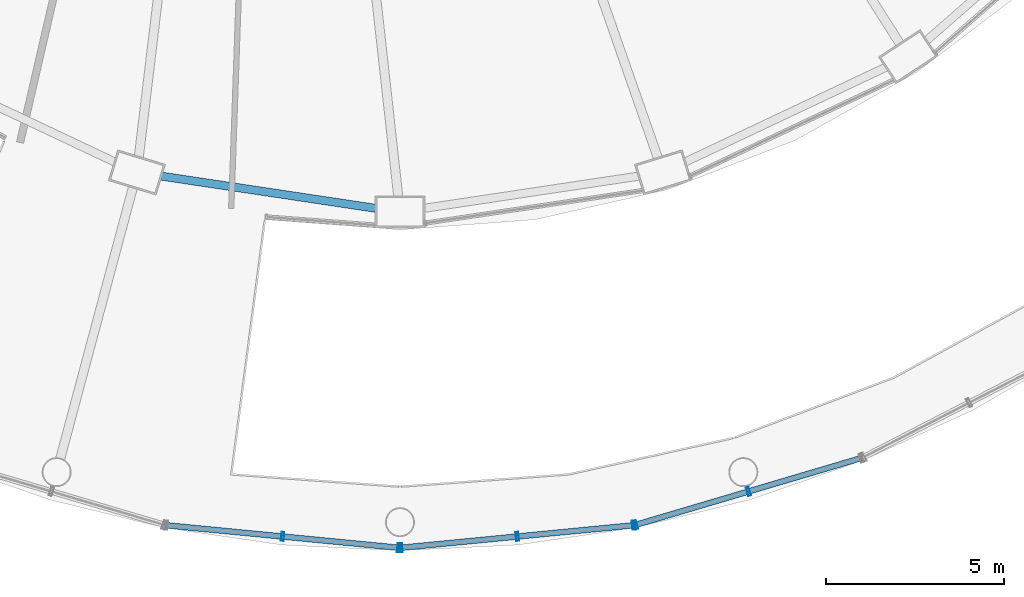
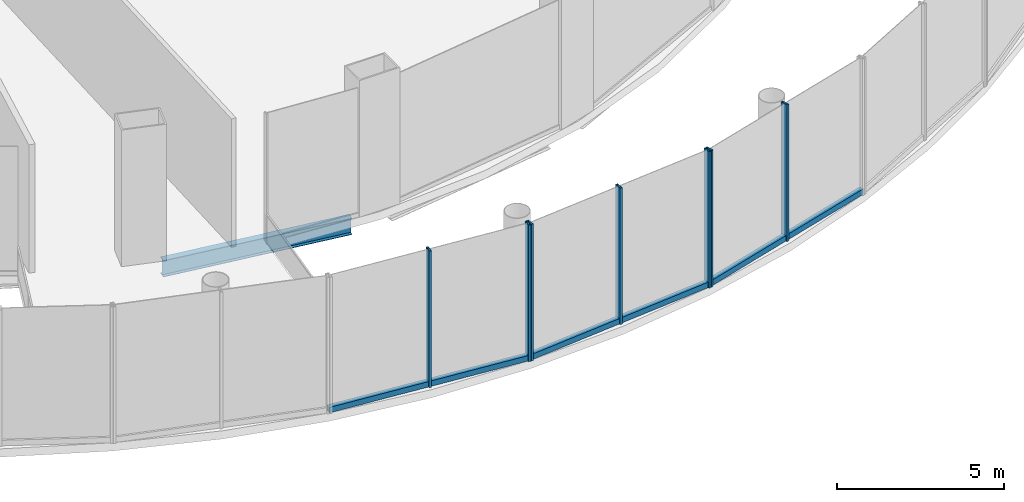
# One storey, part 8 of 47: 10 members, 1 beam, 3 elements without a shape of their own.
"""IFC4 building model written with IfcOpenShell, lengths in metres."""

from ifc_helpers import new_model, si_unit, direction, frame, origin, origin_2d, place, context, subcontext, project, spatial, hollow_rectangle, i_section, extrude, material, layer, layer_set, material_profile, profile_set, type_object, element, aggregate, save


model = new_model("IFC4")

# Units and contexts
model_context = context("Model", 3, precision=1e-05, world=origin(), true_north=direction((0.0, 1.0)))
body_context = subcontext(model_context, "Body", "Model", "MODEL_VIEW")
ifc_project = project(units=[si_unit("LENGTHUNIT", "METRE"), si_unit("AREAUNIT", "SQUARE_METRE"), si_unit("VOLUMEUNIT", "CUBIC_METRE"), si_unit("PLANEANGLEUNIT", "RADIAN"), si_unit("MASSUNIT", "GRAM", prefix="KILO")], contexts=[model_context])

# Site, building, storey
site_placement = place(None, origin())
site = spatial("IfcSite", under=ifc_project, at=site_placement, CompositionType="ELEMENT")
building_placement = place(site_placement, origin())
building = spatial("IfcBuilding", under=site, at=building_placement, Name="Nagisa Residences", CompositionType="ELEMENT")
storey_placement = place(building_placement, frame((0.0, 0.0, 17.0)))
storey = spatial("IfcBuildingStorey", under=building, at=storey_placement, Name="L03", CompositionType="ELEMENT", Elevation=17.0)

# Curtain wall, members
ifc_material_1 = material(Name="Stainless steel curtain wall system", Category="steel")
ifc_layer = layer(ifc_material_1, 0.159912109375)
ifc_layer_set = layer_set([ifc_layer], Name="CW3 CURTAIN WALL")
curtain_wall_type = type_object("IfcCurtainWallType", Name="CW3 CURTAIN WALL", PredefinedType="NOTDEFINED", material=ifc_layer_set)
curtain_wall_1_placement = place(storey_placement, origin())
curtain_wall_1 = element("IfcCurtainWall", 1, at=curtain_wall_1_placement, inside=storey, type_object=curtain_wall_type, Name="cw:CW3:L03:26", PredefinedType="NOTDEFINED")
ifc_material_2 = material(Name="Stainless steel", Category="steel")
ifc_material_profile_1 = material_profile(ifc_material_2, hollow_rectangle(XDim=0.25, YDim=0.080078125, WallThickness=0.008056640625, at=origin_2d()), Name="CW3 MULLION 250x80")
ifc_profile_set_1 = profile_set([ifc_material_profile_1], Name="Stainless steel")
member_type_1 = type_object("IfcMemberType", Name="CW3 MULLION 250x80", PredefinedType="MULLION", material=ifc_profile_set_1)
member_1_placement = place(storey_placement, frame((0.308349609375, -41.601318359375, 0.0), z_axis=(0.0, 0.0, 1.0), x_axis=(0.096249055035, 0.995357282289, 0.0)))
member_1 = element("IfcMember", 2, at=member_1_placement, type_object=member_type_1, Name="CW3 mullion", PredefinedType="MULLION", context=body_context, shape_type="SweptSolid", body=[
    extrude(hollow_rectangle(XDim=0.25, YDim=0.080078125, WallThickness=0.008056640625, at=origin_2d()), origin(), (0.0, 0.0, 1.0), 5.0),
])
member_2_placement = place(storey_placement, frame((3.56787109375, -41.91650390625, 0.0), z_axis=(0.0, 0.0, 1.0), x_axis=(0.096249055035, 0.995357282289, 0.0)))
member_2 = element("IfcMember", 3, at=member_2_placement, type_object=member_type_1, Name="CW3 mullion", PredefinedType="MULLION", context=body_context, shape_type="SweptSolid", body=[
    extrude(hollow_rectangle(XDim=0.25, YDim=0.080078125, WallThickness=0.008056640625, at=origin_2d()), origin(), (0.0, 0.0, 1.0), 5.0),
])

curtain_wall_2_placement = place(storey_placement, origin())
curtain_wall_2 = element("IfcCurtainWall", 4, at=curtain_wall_2_placement, inside=storey, type_object=curtain_wall_type, Name="cw:CW3:L03:27", PredefinedType="NOTDEFINED")
member_3_placement = place(storey_placement, frame((3.632080078125, -41.91650390625, 0.0), z_axis=(0.0, 0.0, 1.0), x_axis=(-0.096249055035, 0.995357282289, 0.0)))
member_3 = element("IfcMember", 5, at=member_3_placement, type_object=member_type_1, Name="CW3 mullion", PredefinedType="MULLION", context=body_context, shape_type="SweptSolid", body=[
    extrude(hollow_rectangle(XDim=0.25, YDim=0.080078125, WallThickness=0.008056640625, at=origin_2d()), origin(), (0.0, 0.0, 1.0), 5.0),
])
member_4_placement = place(storey_placement, frame((6.8916015625, -41.601318359375, 0.0), z_axis=(0.0, 0.0, 1.0), x_axis=(-0.096249055035, 0.995357282289, 0.0)))
member_4 = element("IfcMember", 6, at=member_4_placement, type_object=member_type_1, Name="CW3 mullion", PredefinedType="MULLION", context=body_context, shape_type="SweptSolid", body=[
    extrude(hollow_rectangle(XDim=0.25, YDim=0.080078125, WallThickness=0.008056640625, at=origin_2d()), origin(), (0.0, 0.0, 1.0), 5.0),
])
member_5_placement = place(storey_placement, frame((10.151123046875, -41.2861328125, 0.0), z_axis=(0.0, 0.0, 1.0), x_axis=(-0.096249055035, 0.995357282289, 0.0)))
member_5 = element("IfcMember", 7, at=member_5_placement, type_object=member_type_1, Name="CW3 mullion", PredefinedType="MULLION", context=body_context, shape_type="SweptSolid", body=[
    extrude(hollow_rectangle(XDim=0.25, YDim=0.080078125, WallThickness=0.008056640625, at=origin_2d()), origin(), (0.0, 0.0, 1.0), 5.0),
])

curtain_wall_3_placement = place(storey_placement, origin())
curtain_wall_3 = element("IfcCurtainWall", 8, at=curtain_wall_3_placement, inside=storey, type_object=curtain_wall_type, Name="cw:CW3:L03:28", PredefinedType="NOTDEFINED")
member_6_placement = place(storey_placement, frame((10.21435546875, -41.27392578125, 0.0), z_axis=(0.0, 0.0, 1.0), x_axis=(-0.283963226669, 0.958835171393, 0.0)))
member_6 = element("IfcMember", 9, at=member_6_placement, type_object=member_type_1, Name="CW3 mullion", PredefinedType="MULLION", context=body_context, shape_type="SweptSolid", body=[
    extrude(hollow_rectangle(XDim=0.25, YDim=0.080078125, WallThickness=0.008056640625, at=origin_2d()), origin(), (0.0, 0.0, 1.0), 5.0),
])
member_7_placement = place(storey_placement, frame((13.375, -40.337890625, 0.0), z_axis=(0.0, 0.0, 1.0), x_axis=(-0.283963226669, 0.958835171393, 0.0)))
member_7 = element("IfcMember", 10, at=member_7_placement, type_object=member_type_1, Name="CW3 mullion", PredefinedType="MULLION", context=body_context, shape_type="SweptSolid", body=[
    extrude(hollow_rectangle(XDim=0.25, YDim=0.080078125, WallThickness=0.008056640625, at=origin_2d()), origin(), (0.0, 0.0, 1.0), 5.0),
])

# Member
ifc_material_3 = material(Name="Stainless steel", Category="steel")
ifc_material_profile_2 = material_profile(ifc_material_3, hollow_rectangle(XDim=0.159912109375, YDim=0.199951171875, WallThickness=0.008056640625, at=origin_2d()), Name="CW3 TRANSOM 160x200")
ifc_profile_set_2 = profile_set([ifc_material_profile_2], Name="Stainless steel")
member_type_2 = type_object("IfcMemberType", Name="CW3 TRANSOM 160x200", PredefinedType="USERDEFINED", material=ifc_profile_set_2)
member_8_placement = place(storey_placement, frame((-2.990966796875, -41.2822265625, 0.10009765625), z_axis=(0.995355706687, -0.096265347687, 0.0), x_axis=(0.096265347687, 0.995355706687, 0.0)))
member_8 = element("IfcMember", 11, at=member_8_placement, type_object=member_type_2, Name="CW3 transom", ObjectType="TRANSOM", PredefinedType="USERDEFINED", context=body_context, shape_type="SweptSolid", body=[
    extrude(hollow_rectangle(XDim=0.159912109375, YDim=0.199951171875, WallThickness=0.008056640625, at=origin_2d()), origin(), (0.0, 0.0, 1.0), 6.62939453125),
])

aggregate(curtain_wall_1, [member_1, member_2, member_8])

member_9_placement = place(storey_placement, frame((3.59228515625, -41.92041015625, 0.10009765625), z_axis=(0.995355706687, 0.096265347687, 0.0), x_axis=(-0.096265347687, 0.995355706687, 0.0)))
member_9 = element("IfcMember", 12, at=member_9_placement, type_object=member_type_2, Name="CW3 transom", ObjectType="TRANSOM", PredefinedType="USERDEFINED", context=body_context, shape_type="SweptSolid", body=[
    extrude(hollow_rectangle(XDim=0.159912109375, YDim=0.199951171875, WallThickness=0.008056640625, at=origin_2d()), origin(), (0.0, 0.0, 1.0), 6.62939453125),
])

aggregate(curtain_wall_2, [member_3, member_4, member_5, member_9])

member_10_placement = place(storey_placement, frame((10.176025390625, -41.28515625, 0.10009765625), z_axis=(0.958835384932, 0.283962505627, 0.0), x_axis=(-0.283962505627, 0.958835384932, 0.0)))
member_10 = element("IfcMember", 13, at=member_10_placement, type_object=member_type_2, Name="CW3 transom", ObjectType="TRANSOM", PredefinedType="USERDEFINED", context=body_context, shape_type="SweptSolid", body=[
    extrude(hollow_rectangle(XDim=0.159912109375, YDim=0.199951171875, WallThickness=0.008056640625, at=origin_2d()), origin(), (0.0, 0.0, 1.0), 6.672607421875),
])

aggregate(curtain_wall_3, [member_6, member_7, member_10])

# Beam
ifc_material_4 = material(Name="Steel ASTM A572 Gr 50", Category="steel")
ifc_material_profile_3 = material_profile(ifc_material_4, i_section(OverallWidth=0.22802734375, OverallDepth=0.60302734375, WebThickness=0.010498046875, FlangeThickness=0.014892578125, at=origin_2d()), Name="W610x101")
ifc_profile_set_3 = profile_set([ifc_material_profile_3], Name="Steel ASTM A572 Gr 50")
beam_type = type_object("IfcBeamType", Name="Perimeter ring beam W610x101", PredefinedType="BEAM", material=ifc_profile_set_3)
beam_placement = place(storey_placement, frame((-3.096435546875, -31.49462890625, -0.6015625), z_axis=(0.988914559467, -0.14848566959, 0.0), x_axis=(0.14848566959, 0.988914559467, 0.0)))
element("IfcBeam", 14, at=beam_placement, inside=storey, type_object=beam_type, Name="beam:L03:pb18", PredefinedType="BEAM", context=body_context, shape_type="SweptSolid", body=[
    extrude(i_section(OverallWidth=0.22802734375, OverallDepth=0.60302734375, WebThickness=0.010498046875, FlangeThickness=0.014892578125, at=origin_2d()), origin(), (0.0, 0.0, 1.0), 6.08349609375),
])

save(model, "model.ifc")
